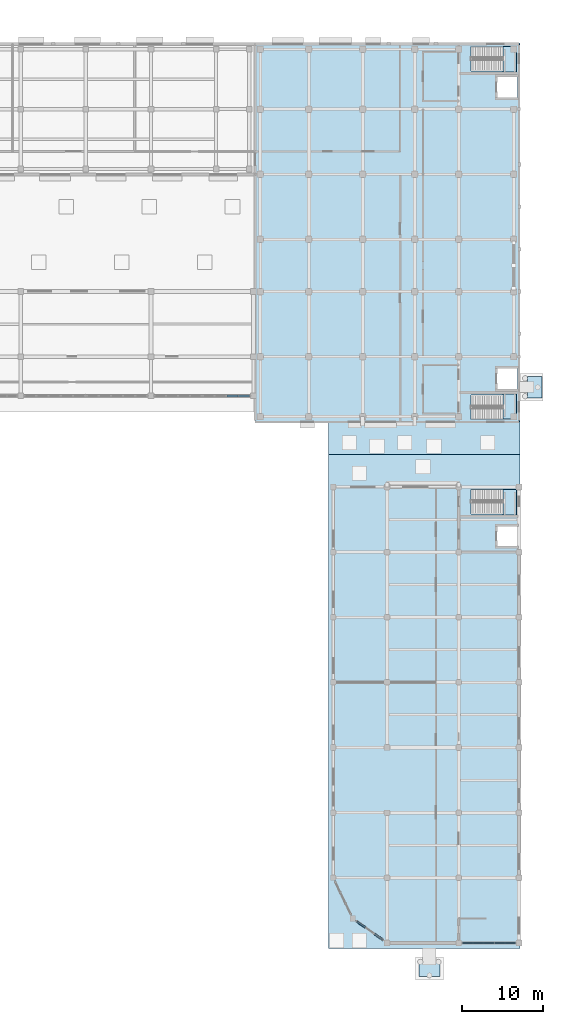
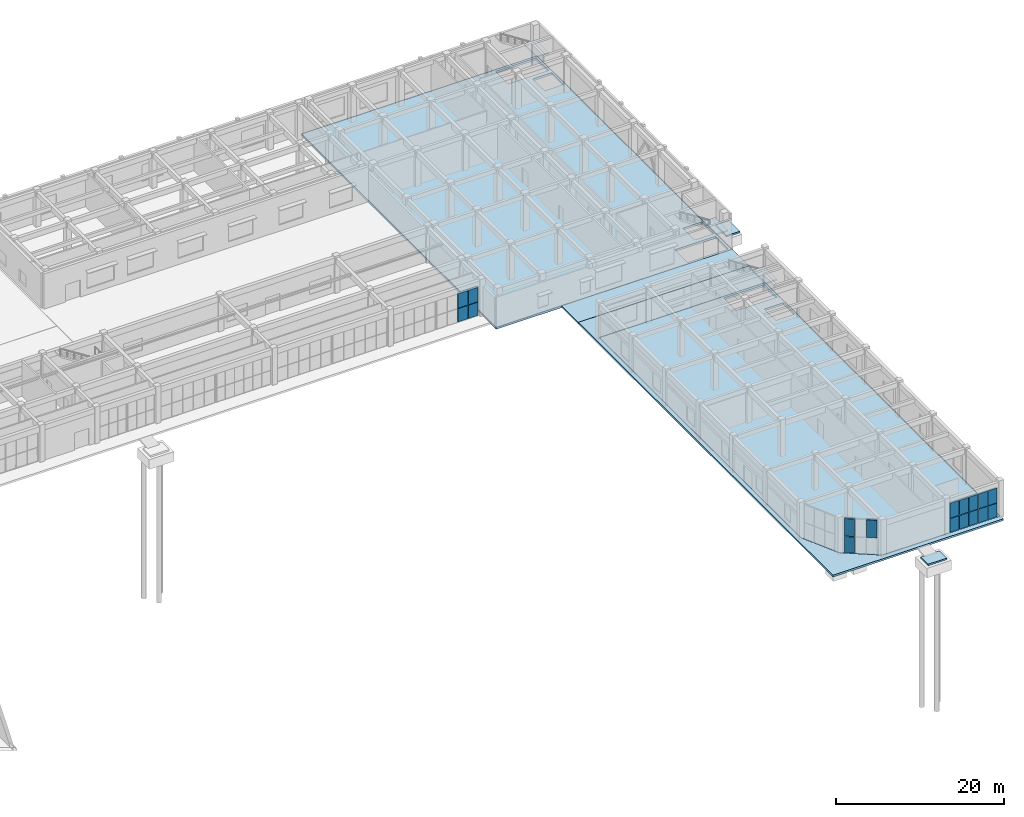
# One storey, part 25 of 46: 17 plates, 9 slabs, 6 elements without a shape of their own.
"""IFC4 building model written with IfcOpenShell, lengths in metres."""

from ifc_helpers import new_model, si_unit, direction, frame, origin, origin_2d, place, context, subcontext, project, spatial, polyline, rectangle, outline, extrude, material, layer, layer_set, type_object, element, aggregate, save


model = new_model("IFC4")

# Units and contexts
model_context = context("Model", 3, precision=1e-05, world=origin(), true_north=direction((0.0, 1.0)))
body_context = subcontext(model_context, "Body", "Model", "MODEL_VIEW")
ifc_project = project(units=[si_unit("LENGTHUNIT", "METRE"), si_unit("AREAUNIT", "SQUARE_METRE"), si_unit("VOLUMEUNIT", "CUBIC_METRE"), si_unit("PLANEANGLEUNIT", "RADIAN"), si_unit("MASSUNIT", "GRAM", prefix="KILO")], contexts=[model_context])

# Site, building, storey
site_placement = place(None, origin())
site = spatial("IfcSite", under=ifc_project, at=site_placement, CompositionType="ELEMENT")
building_placement = place(site_placement, origin())
building = spatial("IfcBuilding", under=site, at=building_placement, Name="Cinchona Park Media Centre", CompositionType="ELEMENT")
storey_placement = place(building_placement, origin())
storey = spatial("IfcBuildingStorey", under=building, at=storey_placement, Name="L00", CompositionType="ELEMENT", Elevation=0.0)

# Curtain wall, plates
ifc_material_1 = material(Name="Aluminium Curtain Wall Framing", Category="aluminium")
ifc_layer_1 = layer(ifc_material_1, 0.239990234375)
ifc_layer_set_1 = layer_set([ifc_layer_1], Name="Aluminium Curtain Wall Framing")
curtain_wall_type_1 = type_object("IfcCurtainWallType", Name="CW-CW05", PredefinedType="USERDEFINED", material=ifc_layer_set_1)
curtain_wall_1_placement = place(storey_placement, origin())
curtain_wall_1 = element("IfcCurtainWall", 1, at=curtain_wall_1_placement, inside=storey, type_object=curtain_wall_type_1, Name="Curtain Wall CW05 L00", ObjectType="UNITISED CURTAIN WALL", PredefinedType="USERDEFINED")
ifc_material_2 = material(Name="Insulated Acoustic Aluminium-Glass Spandrel Cassette", Category="aluminium")
ifc_layer_2 = layer(ifc_material_2, 0.199951171875)
ifc_layer_set_2 = layer_set([ifc_layer_2], Name="Insulated Acoustic Aluminium-Glass Spandrel Cassette")
plate_type_1 = type_object("IfcPlateType", Name="CWPANEL-PNL19", PredefinedType="CURTAIN_PANEL", material=ifc_layer_set_2)
plate_1_placement = place(storey_placement, frame((170.906494140625, 7.60009765625, 0.119873046875), z_axis=(0.0, 0.0, 1.0), x_axis=(-1.0, 0.0, 0.0)))
plate_1 = element("IfcPlate", 2, at=plate_1_placement, type_object=plate_type_1, Name="CW05 panel 1.1", PredefinedType="CURTAIN_PANEL", context=body_context, shape_type="SweptSolid", body=[
    extrude(rectangle(XDim=1.20703125, YDim=0.199951171875, at=origin_2d()), origin(), (0.0, 0.0, 1.0), 1.97802734375),
])
plate_2_placement = place(storey_placement, frame((170.906494140625, 7.60009765625, 2.16796875), z_axis=(0.0, 0.0, 1.0), x_axis=(-1.0, 0.0, 0.0)))
plate_2 = element("IfcPlate", 3, at=plate_2_placement, type_object=plate_type_1, Name="CW05 panel 1.2", PredefinedType="CURTAIN_PANEL", context=body_context, shape_type="SweptSolid", body=[
    extrude(rectangle(XDim=1.20703125, YDim=0.199951171875, at=origin_2d()), origin(), (0.0, 0.0, 1.0), 2.152099609375),
])
plate_3_placement = place(storey_placement, frame((169.612060546875, 7.60009765625, 0.119873046875), z_axis=(0.0, 0.0, 1.0), x_axis=(-1.0, 0.0, 0.0)))
plate_3 = element("IfcPlate", 4, at=plate_3_placement, type_object=plate_type_1, Name="CW05 panel 2.1", PredefinedType="CURTAIN_PANEL", context=body_context, shape_type="SweptSolid", body=[
    extrude(rectangle(XDim=1.241943359375, YDim=0.199951171875, at=origin_2d()), origin(), (0.0, 0.0, 1.0), 1.97802734375),
])
plate_4_placement = place(storey_placement, frame((169.612060546875, 7.60009765625, 2.16796875), z_axis=(0.0, 0.0, 1.0), x_axis=(-1.0, 0.0, 0.0)))
plate_4 = element("IfcPlate", 5, at=plate_4_placement, type_object=plate_type_1, Name="CW05 panel 2.2", PredefinedType="CURTAIN_PANEL", context=body_context, shape_type="SweptSolid", body=[
    extrude(rectangle(XDim=1.241943359375, YDim=0.199951171875, at=origin_2d()), origin(), (0.0, 0.0, 1.0), 2.152099609375),
])
plate_5_placement = place(storey_placement, frame((168.300048828125, 7.60009765625, 0.119873046875), z_axis=(0.0, 0.0, 1.0), x_axis=(-1.0, 0.0, 0.0)))
plate_5 = element("IfcPlate", 6, at=plate_5_placement, type_object=plate_type_1, Name="CW05 panel 3.1", PredefinedType="CURTAIN_PANEL", context=body_context, shape_type="SweptSolid", body=[
    extrude(rectangle(XDim=1.241943359375, YDim=0.199951171875, at=origin_2d()), origin(), (0.0, 0.0, 1.0), 1.97802734375),
])
plate_6_placement = place(storey_placement, frame((168.300048828125, 7.60009765625, 2.16796875), z_axis=(0.0, 0.0, 1.0), x_axis=(-1.0, 0.0, 0.0)))
plate_6 = element("IfcPlate", 7, at=plate_6_placement, type_object=plate_type_1, Name="CW05 panel 3.2", PredefinedType="CURTAIN_PANEL", context=body_context, shape_type="SweptSolid", body=[
    extrude(rectangle(XDim=1.241943359375, YDim=0.199951171875, at=origin_2d()), origin(), (0.0, 0.0, 1.0), 2.152099609375),
])
plate_7_placement = place(storey_placement, frame((166.988037109375, 7.60009765625, 0.119873046875), z_axis=(0.0, 0.0, 1.0), x_axis=(-1.0, 0.0, 0.0)))
plate_7 = element("IfcPlate", 8, at=plate_7_placement, type_object=plate_type_1, Name="CW05 panel 4.1", PredefinedType="CURTAIN_PANEL", context=body_context, shape_type="SweptSolid", body=[
    extrude(rectangle(XDim=1.241943359375, YDim=0.199951171875, at=origin_2d()), origin(), (0.0, 0.0, 1.0), 1.97802734375),
])
plate_8_placement = place(storey_placement, frame((166.988037109375, 7.60009765625, 2.16796875), z_axis=(0.0, 0.0, 1.0), x_axis=(-1.0, 0.0, 0.0)))
plate_8 = element("IfcPlate", 9, at=plate_8_placement, type_object=plate_type_1, Name="CW05 panel 4.2", PredefinedType="CURTAIN_PANEL", context=body_context, shape_type="SweptSolid", body=[
    extrude(rectangle(XDim=1.241943359375, YDim=0.199951171875, at=origin_2d()), origin(), (0.0, 0.0, 1.0), 2.152099609375),
])
plate_9_placement = place(storey_placement, frame((165.693603515625, 7.60009765625, 0.119873046875), z_axis=(0.0, 0.0, 1.0), x_axis=(-1.0, 0.0, 0.0)))
plate_9 = element("IfcPlate", 10, at=plate_9_placement, type_object=plate_type_1, Name="CW05 panel 5.1", PredefinedType="CURTAIN_PANEL", context=body_context, shape_type="SweptSolid", body=[
    extrude(rectangle(XDim=1.20703125, YDim=0.199951171875, at=origin_2d()), origin(), (0.0, 0.0, 1.0), 1.97802734375),
])
plate_10_placement = place(storey_placement, frame((165.693603515625, 7.60009765625, 2.16796875), z_axis=(0.0, 0.0, 1.0), x_axis=(-1.0, 0.0, 0.0)))
plate_10 = element("IfcPlate", 11, at=plate_10_placement, type_object=plate_type_1, Name="CW05 panel 5.2", PredefinedType="CURTAIN_PANEL", context=body_context, shape_type="SweptSolid", body=[
    extrude(rectangle(XDim=1.20703125, YDim=0.199951171875, at=origin_2d()), origin(), (0.0, 0.0, 1.0), 2.152099609375),
])
aggregate(curtain_wall_1, [plate_1, plate_2, plate_3, plate_4, plate_5, plate_6, plate_7, plate_8, plate_9, plate_10])

ifc_material_3 = material(Name="Aluminium Curtain Wall Framing", Category="aluminium")
ifc_layer_3 = layer(ifc_material_3, 0.2548828125)
ifc_layer_set_3 = layer_set([ifc_layer_3], Name="Aluminium Curtain Wall Framing")
curtain_wall_type_2 = type_object("IfcCurtainWallType", Name="CW-CW06", PredefinedType="USERDEFINED", material=ifc_layer_set_3)
curtain_wall_2_placement = place(storey_placement, origin())
curtain_wall_2 = element("IfcCurtainWall", 12, at=curtain_wall_2_placement, inside=storey, type_object=curtain_wall_type_2, Name="Curtain Wall CW06 L00", ObjectType="UNITISED CURTAIN WALL", PredefinedType="USERDEFINED")
plate_11_placement = place(storey_placement, frame((154.787353515625, 8.322998046875, 2.53076171875), z_axis=(0.0, 0.0, 1.0), x_axis=(-0.813600504321, 0.581424302355, 0.0)))
plate_11 = element("IfcPlate", 13, at=plate_11_placement, type_object=plate_type_1, Name="CW06 panel 1.2", PredefinedType="CURTAIN_PANEL", context=body_context, shape_type="SweptSolid", body=[
    extrude(rectangle(XDim=1.24267578125, YDim=0.199951171875, at=origin_2d()), origin(), (0.0, 0.0, 1.0), 2.534423828125),
])
plate_12_placement = place(storey_placement, frame((152.612548828125, 9.877197265625, 0.125), z_axis=(0.0, 0.0, 1.0), x_axis=(-0.813600504321, 0.581424302355, 0.0)))
plate_12 = element("IfcPlate", 14, at=plate_12_placement, type_object=plate_type_1, Name="CW06 panel 3.1", PredefinedType="CURTAIN_PANEL", context=body_context, shape_type="SweptSolid", body=[
    extrude(rectangle(XDim=1.24267578125, YDim=0.199951171875, at=origin_2d()), origin(), (0.0, 0.0, 1.0), 2.33056640625),
])
plate_13_placement = place(storey_placement, frame((152.612548828125, 9.877197265625, 2.53076171875), z_axis=(0.0, 0.0, 1.0), x_axis=(-0.813600504321, 0.581424302355, 0.0)))
plate_13 = element("IfcPlate", 15, at=plate_13_placement, type_object=plate_type_1, Name="CW06 panel 3.2", PredefinedType="CURTAIN_PANEL", context=body_context, shape_type="SweptSolid", body=[
    extrude(rectangle(XDim=1.24267578125, YDim=0.199951171875, at=origin_2d()), origin(), (0.0, 0.0, 1.0), 2.534423828125),
])
aggregate(curtain_wall_2, [plate_11, plate_12, plate_13])

ifc_material_4 = material(Name="Aluminium Curtain Wall Framing", Category="aluminium")
ifc_layer_4 = layer(ifc_material_4, 0.284912109375)
ifc_layer_set_4 = layer_set([ifc_layer_4], Name="Aluminium Curtain Wall Framing")
curtain_wall_type_3 = type_object("IfcCurtainWallType", Name="CW-CW08", PredefinedType="USERDEFINED", material=ifc_layer_set_4)
curtain_wall_3_placement = place(storey_placement, origin())
curtain_wall_3 = element("IfcCurtainWall", 16, at=curtain_wall_3_placement, inside=storey, type_object=curtain_wall_type_3, Name="Curtain Wall CW08 L00", ObjectType="UNITISED CURTAIN WALL", PredefinedType="USERDEFINED")
ifc_material_5 = material(Name="Insulated Acoustic Aluminium-Glass Spandrel Cassette", Category="aluminium")
ifc_layer_5 = layer(ifc_material_5, 0.25)
ifc_layer_set_5 = layer_set([ifc_layer_5], Name="Insulated Acoustic Aluminium-Glass Spandrel Cassette")
plate_type_2 = type_object("IfcPlateType", Name="CWPANEL-PNL24", PredefinedType="CURTAIN_PANEL", material=ifc_layer_set_5)
plate_14_placement = place(storey_placement, frame((138.237548828125, 74.800048828125, 0.1201171875), z_axis=(0.0, 0.0, 1.0), x_axis=(-1.0, 0.0, 0.0)))
plate_14 = element("IfcPlate", 17, at=plate_14_placement, type_object=plate_type_2, Name="CW08 panel 1.1", PredefinedType="CURTAIN_PANEL", context=body_context, shape_type="SweptSolid", body=[
    extrude(rectangle(XDim=1.344970703125, YDim=0.25, at=origin_2d()), origin(), (0.0, 0.0, 1.0), 1.929931640625),
])
plate_15_placement = place(storey_placement, frame((138.237548828125, 74.800048828125, 2.119873046875), z_axis=(0.0, 0.0, 1.0), x_axis=(-1.0, 0.0, 0.0)))
plate_15 = element("IfcPlate", 18, at=plate_15_placement, type_object=plate_type_2, Name="CW08 panel 1.2", PredefinedType="CURTAIN_PANEL", context=body_context, shape_type="SweptSolid", body=[
    extrude(rectangle(XDim=1.344970703125, YDim=0.25, at=origin_2d()), origin(), (0.0, 0.0, 1.0), 2.10009765625),
])
plate_16_placement = place(storey_placement, frame((136.804931640625, 74.800048828125, 0.1201171875), z_axis=(0.0, 0.0, 1.0), x_axis=(-1.0, 0.0, 0.0)))
plate_16 = element("IfcPlate", 19, at=plate_16_placement, type_object=plate_type_2, Name="CW08 panel 2.1", PredefinedType="CURTAIN_PANEL", context=body_context, shape_type="SweptSolid", body=[
    extrude(rectangle(XDim=1.3798828125, YDim=0.25, at=origin_2d()), origin(), (0.0, 0.0, 1.0), 1.929931640625),
])
plate_17_placement = place(storey_placement, frame((136.804931640625, 74.800048828125, 2.119873046875), z_axis=(0.0, 0.0, 1.0), x_axis=(-1.0, 0.0, 0.0)))
plate_17 = element("IfcPlate", 20, at=plate_17_placement, type_object=plate_type_2, Name="CW08 panel 2.2", PredefinedType="CURTAIN_PANEL", context=body_context, shape_type="SweptSolid", body=[
    extrude(rectangle(XDim=1.3798828125, YDim=0.25, at=origin_2d()), origin(), (0.0, 0.0, 1.0), 2.10009765625),
])
aggregate(curtain_wall_3, [plate_14, plate_15, plate_16, plate_17])

# Stair, slab
ifc_material_6 = material(Name="Concrete C35/45", Category="concrete")
stair_type_1 = type_object("IfcStairType", Name="STAIR-ST1-HT54", PredefinedType="HALF_TURN_STAIR", material=ifc_material_6)
stair_1_placement = place(storey_placement, origin())
stair_1 = element("IfcStair", 21, at=stair_1_placement, inside=storey, type_object=stair_type_1, Name="Exit Stair ST1 L00", PredefinedType="HALF_TURN_STAIR")
ifc_material_7 = material(Name="Concrete C35/45", Category="concrete")
ifc_layer_6 = layer(ifc_material_7, 0.205078125)
ifc_layer_set_6 = layer_set([ifc_layer_6], Name="Concrete C35/45")
slab_type_1 = type_object("IfcSlabType", Name="LANDING-LDG01", PredefinedType="LANDING", material=ifc_layer_set_6)
slab_1_placement = place(storey_placement, frame((0.0, 0.0, 2.4951171875)))
slab_1 = element("IfcSlab", 22, at=slab_1_placement, type_object=slab_type_1, Name="ST1 landing 1", PredefinedType="LANDING", context=body_context, shape_type="SweptSolid", body=[
    extrude(outline(polyline([(170.02001953125, 71.919921875), (171.679931640625, 71.919921875), (171.679931640625, 75.02001953125), (170.02001953125, 75.02001953125), (170.02001953125, 71.919921875)])), origin(), (0.0, 0.0, 1.0), 0.204833984375),
])
aggregate(stair_1, [slab_1])

ifc_material_8 = material(Name="Concrete C35/45", Category="concrete")
stair_type_2 = type_object("IfcStairType", Name="STAIR-ST2-HT54", PredefinedType="HALF_TURN_STAIR", material=ifc_material_8)
stair_2_placement = place(storey_placement, origin())
stair_2 = element("IfcStair", 23, at=stair_2_placement, inside=storey, type_object=stair_type_2, Name="Exit Stair ST2 L00", PredefinedType="HALF_TURN_STAIR")
slab_2_placement = place(storey_placement, frame((0.0, 0.0, 2.4951171875)))
slab_2 = element("IfcSlab", 24, at=slab_2_placement, type_object=slab_type_1, Name="ST2 landing 1", PredefinedType="LANDING", context=body_context, shape_type="SweptSolid", body=[
    extrude(outline(polyline([(170.02001953125, 114.580078125), (171.679931640625, 114.580078125), (171.679931640625, 117.679931640625), (170.02001953125, 117.679931640625), (170.02001953125, 114.580078125)])), origin(), (0.0, 0.0, 1.0), 0.204833984375),
])
aggregate(stair_2, [slab_2])

ifc_material_9 = material(Name="Concrete C35/45", Category="concrete")
stair_type_3 = type_object("IfcStairType", Name="STAIR-ST7-HT54", PredefinedType="HALF_TURN_STAIR", material=ifc_material_9)
stair_3_placement = place(storey_placement, origin())
stair_3 = element("IfcStair", 25, at=stair_3_placement, inside=storey, type_object=stair_type_3, Name="Exit Stair ST7 L00", PredefinedType="HALF_TURN_STAIR")
slab_3_placement = place(storey_placement, frame((0.0, 0.0, 2.4951171875)))
slab_3 = element("IfcSlab", 26, at=slab_3_placement, type_object=slab_type_1, Name="ST7 landing 1", PredefinedType="LANDING", context=body_context, shape_type="SweptSolid", body=[
    extrude(outline(polyline([(170.02001953125, 60.155029296875), (171.679931640625, 60.155029296875), (171.679931640625, 63.280029296875), (170.02001953125, 63.280029296875), (170.02001953125, 60.155029296875)])), origin(), (0.0, 0.0, 1.0), 0.204833984375),
])
aggregate(stair_3, [slab_3])

# Slabs
ifc_material_10 = material(Name="Concrete C35/45", Category="concrete")
ifc_layer_7 = layer(ifc_material_10, 0.27001953125)
ifc_layer_set_7 = layer_set([ifc_layer_7], Name="Concrete C35/45")
slab_type_2 = type_object("IfcSlabType", Name="SLAB-PLZ01-270", PredefinedType="FLOOR", material=ifc_layer_set_7)
slab_4_placement = place(storey_placement, frame((0.0, 0.0, -0.27001953125)))
element("IfcSlab", 27, at=slab_4_placement, inside=storey, type_object=slab_type_2, Name="Landscaped Park Court Plaza Deck 6", PredefinedType="FLOOR", context=body_context, shape_type="SweptSolid", body=[
    extrude(outline(polyline([(172.10009765625, 118.10009765625), (172.10009765625, 67.610107421875), (148.60009765625, 67.610107421875), (148.60009765625, 71.5849609375), (172.014892578125, 71.5849609375), (172.014892578125, 118.014892578125), (139.5849609375, 118.014892578125), (139.5849609375, 72.800048828125), (139.56005859375, 72.800048828125), (139.56005859375, 118.10009765625), (172.10009765625, 118.10009765625)])), origin(), (0.0, 0.0, 1.0), 0.27001953125),
])
slab_5_placement = place(storey_placement, frame((0.0, 0.0, -0.27001953125)))
element("IfcSlab", 28, at=slab_5_placement, inside=storey, type_object=slab_type_2, Name="Landscaped Park Court Plaza Deck 7", PredefinedType="FLOOR", context=body_context, shape_type="SweptSolid", body=[
    extrude(outline(polyline([(172.10009765625, 6.89990234375), (148.60009765625, 6.89990234375), (148.60009765625, 67.590087890625), (172.10009765625, 67.590087890625), (172.10009765625, 6.89990234375)]), holes=[polyline([(151.587890625, 10.590087890625), (155.794921875, 7.5849609375), (172.014892578125, 7.5849609375), (172.014892578125, 63.614990234375), (149.18505859375, 63.614990234375), (149.18505859375, 15.596923828125), (151.587890625, 10.590087890625)])]), origin(), (0.0, 0.0, 1.0), 0.27001953125),
])
ifc_material_11 = material(Name="Concrete C40/50", Category="concrete")
ifc_layer_8 = layer(ifc_material_11, 0.22509765625)
ifc_layer_set_8 = layer_set([ifc_layer_8], Name="Concrete C40/50")
slab_type_3 = type_object("IfcSlabType", Name="SLAB-RSL01-225", PredefinedType="FLOOR", material=ifc_layer_set_8)
slab_6_placement = place(storey_placement, frame((0.0, 0.0, -0.425048828125)))
element("IfcSlab", 29, at=slab_6_placement, inside=storey, type_object=slab_type_3, Name="Ramp Landing Base Slab RMP-04", PredefinedType="FLOOR", context=body_context, shape_type="SweptSolid", body=[
    extrude(outline(polyline([(159.699951171875, 3.449951171875), (162.300048828125, 3.449951171875), (162.300048828125, 5.199951171875), (159.699951171875, 5.199951171875), (159.699951171875, 3.449951171875)])), origin(), (0.0, 0.0, 1.0), 0.22509765625),
])
slab_7_placement = place(storey_placement, frame((0.0, 0.0, -0.375)))
element("IfcSlab", 30, at=slab_7_placement, inside=storey, type_object=slab_type_3, Name="Ramp Landing Base Slab RMP-05", PredefinedType="FLOOR", context=body_context, shape_type="SweptSolid", body=[
    extrude(outline(polyline([(173.02001953125, 74.550048828125), (174.85009765625, 74.550048828125), (174.85009765625, 77.14990234375), (173.02001953125, 77.14990234375), (173.02001953125, 74.550048828125)])), origin(), (0.0, 0.0, 1.0), 0.22509765625),
])
ifc_material_12 = material(Name="Concrete C35/45", Category="concrete")
ifc_layer_9 = layer(ifc_material_12, 0.300048828125)
ifc_layer_set_9 = layer_set([ifc_layer_9], Name="Concrete C35/45")
slab_type_4 = type_object("IfcSlabType", Name="SLAB-SL03-300", PredefinedType="FLOOR", material=ifc_layer_set_9)
slab_8_placement = place(storey_placement, frame((0.0, 0.0, -0.300048828125)))
element("IfcSlab", 31, at=slab_8_placement, inside=storey, type_object=slab_type_4, Name="Media Library Book Stacks Floor Slab V6 L00", PredefinedType="FLOOR", context=body_context, shape_type="SweptSolid", body=[
    extrude(outline(polyline([(155.800048828125, 7.60009765625), (172.0, 7.60009765625), (172.0, 63.60009765625), (149.199951171875, 63.60009765625), (149.199951171875, 15.60009765625), (151.60009765625, 10.60009765625), (155.800048828125, 7.60009765625)]), holes=[polyline([(166.135009765625, 60.300048828125), (171.699951171875, 60.300048828125), (171.699951171875, 63.300048828125), (166.135009765625, 63.300048828125), (166.135009765625, 60.300048828125)]), polyline([(169.199951171875, 56.199951171875), (171.800048828125, 56.199951171875), (171.800048828125, 58.89990234375), (169.199951171875, 58.89990234375), (169.199951171875, 56.199951171875)])]), origin(), (0.0, 0.0, 1.0), 0.300048828125),
])
slab_9_placement = place(storey_placement, frame((0.0, 0.0, -0.300048828125)))
element("IfcSlab", 32, at=slab_9_placement, inside=storey, type_object=slab_type_4, Name="Floor Slab V7 L00", PredefinedType="FLOOR", context=body_context, shape_type="SweptSolid", body=[
    extrude(outline(polyline([(139.60009765625, 71.60009765625), (172.0, 71.60009765625), (172.0, 118.0), (139.60009765625, 118.0), (139.60009765625, 71.60009765625)]), holes=[polyline([(166.135009765625, 71.89990234375), (171.699951171875, 71.89990234375), (171.699951171875, 74.89990234375), (166.135009765625, 74.89990234375), (166.135009765625, 71.89990234375)]), polyline([(169.199951171875, 75.5), (171.800048828125, 75.5), (171.800048828125, 78.300048828125), (169.199951171875, 78.300048828125), (169.199951171875, 75.5)]), polyline([(166.135009765625, 114.699951171875), (171.699951171875, 114.699951171875), (171.699951171875, 117.699951171875), (166.135009765625, 117.699951171875), (166.135009765625, 114.699951171875)]), polyline([(169.199951171875, 111.300048828125), (171.800048828125, 111.300048828125), (171.800048828125, 114.10009765625), (169.199951171875, 114.10009765625), (169.199951171875, 111.300048828125)])]), origin(), (0.0, 0.0, 1.0), 0.300048828125),
])

save(model, "model.ifc")
